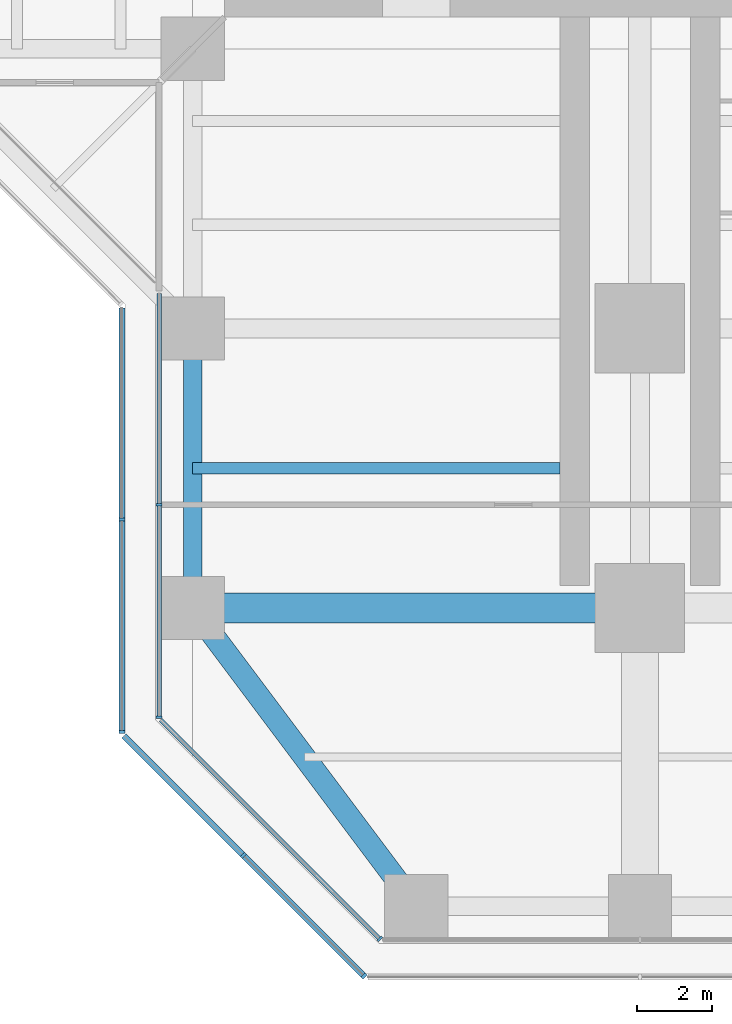
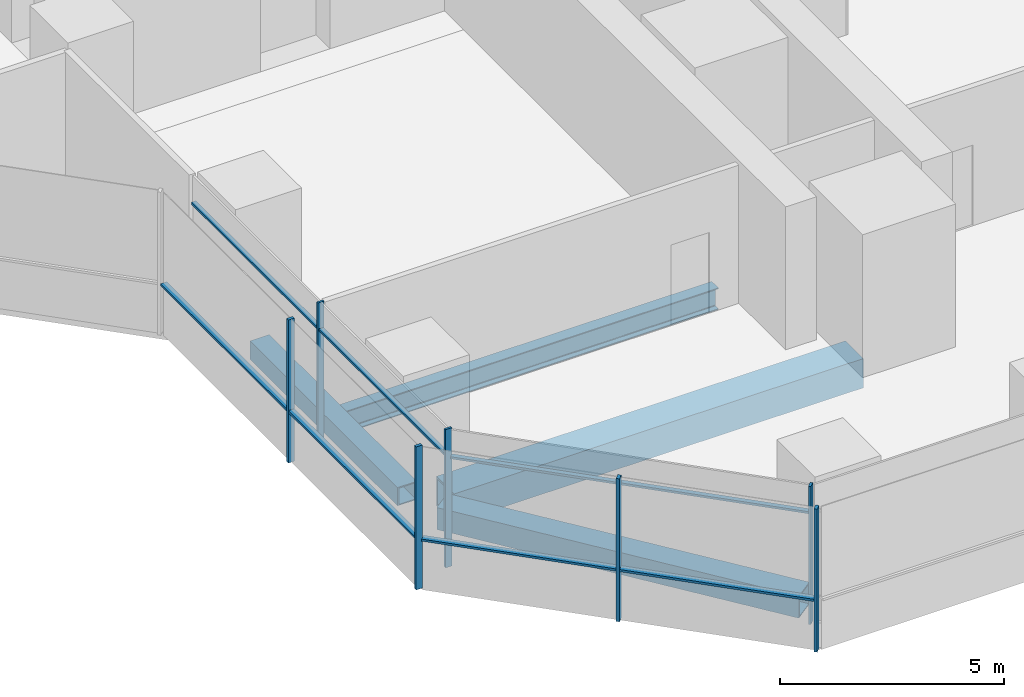
# One storey, part 2 of 22: 14 members, 4 beams, 4 elements without a shape of their own.
"""IFC4 building model written with IfcOpenShell, lengths in metres."""

from ifc_helpers import new_model, si_unit, direction, frame, origin, origin_2d, place, context, subcontext, project, spatial, rectangle, hollow_rectangle, i_section, extrude, material, material_profile, profile_set, type_object, element, aggregate, save


model = new_model("IFC4")

# Units and contexts
model_context = context("Model", 3, precision=1e-05, world=origin(), true_north=direction((0.0, 1.0)))
body_context = subcontext(model_context, "Body", "Model", "MODEL_VIEW")
ifc_project = project(units=[si_unit("LENGTHUNIT", "METRE"), si_unit("AREAUNIT", "SQUARE_METRE"), si_unit("VOLUMEUNIT", "CUBIC_METRE"), si_unit("PLANEANGLEUNIT", "RADIAN"), si_unit("MASSUNIT", "GRAM", prefix="KILO")], contexts=[model_context])

# Site, building, storey
site_placement = place(None, origin())
site = spatial("IfcSite", under=ifc_project, at=site_placement, CompositionType="ELEMENT")
building_placement = place(site_placement, origin())
building = spatial("IfcBuilding", under=site, at=building_placement, Name="Mizan Broadcast Tower", CompositionType="ELEMENT")
storey_placement = place(building_placement, frame((0.0, 0.0, 102.0)))
storey = spatial("IfcBuildingStorey", under=building, at=storey_placement, Name="L22", CompositionType="ELEMENT", Elevation=102.0)

# Beams
ifc_material_1 = material(Name="Steel S355", Category="steel")
ifc_material_profile_1 = material_profile(ifc_material_1, hollow_rectangle(XDim=0.5, YDim=0.5, WallThickness=0.030029296875, at=origin_2d()), Name="BOX 500x500x30")
ifc_profile_set_1 = profile_set([ifc_material_profile_1], Name="Steel S355")
beam_type_1 = type_object("IfcBeamType", Name="EDGE BEAM BOX 500x500x30", PredefinedType="SPANDREL", material=ifc_profile_set_1)
beam_1_placement = place(storey_placement, frame((-12.0, -19.949951171875, -0.3798828125), z_axis=(0.0, -1.0, 0.0), x_axis=(1.0, 0.0, 0.0)))
element("IfcBeam", 1, at=beam_1_placement, inside=storey, type_object=beam_type_1, Name="Edge beam BOX 500x500x30 L22 south arm", PredefinedType="SPANDREL", context=body_context, shape_type="SweptSolid", body=[
    extrude(hollow_rectangle(XDim=0.5, YDim=0.5, WallThickness=0.030029296875, at=origin_2d()), origin(), (0.0, 0.0, 1.0), 6.60009765625),
])
ifc_material_2 = material(Name="Steel S355", Category="steel")
ifc_material_profile_2 = material_profile(ifc_material_2, hollow_rectangle(XDim=0.60009765625, YDim=0.60009765625, WallThickness=0.030029296875, at=origin_2d()), Name="BOX 600x600x30")
ifc_profile_set_2 = profile_set([ifc_material_profile_2], Name="Steel S355")
beam_type_2 = type_object("IfcBeamType", Name="EDGE BEAM BOX 600x600x30", PredefinedType="SPANDREL", material=ifc_profile_set_2)
beam_2_placement = place(storey_placement, frame((-11.639892578125, -27.47998046875, -0.429931640625), z_axis=(0.599982243973, -0.800013316712, 0.0), x_axis=(0.800013316712, 0.599982243973, 0.0)))
element("IfcBeam", 2, at=beam_2_placement, inside=storey, type_object=beam_type_2, Name="Edge beam BOX 600x600x30 L22 south arm", PredefinedType="SPANDREL", context=body_context, shape_type="SweptSolid", body=[
    extrude(hollow_rectangle(XDim=0.60009765625, YDim=0.60009765625, WallThickness=0.030029296875, at=origin_2d()), origin(), (0.0, 0.0, 1.0), 8.7998046875),
])
ifc_material_3 = material(Name="Steel S460", Category="steel")
ifc_material_profile_3 = material_profile(ifc_material_3, hollow_rectangle(XDim=0.800048828125, YDim=0.800048828125, WallThickness=0.050048828125, at=origin_2d()), Name="BOX 800x800x50")
ifc_profile_set_3 = profile_set([ifc_material_profile_3], Name="Steel S460")
beam_type_3 = type_object("IfcBeamType", Name="GIRDER BOX 800x800x50", PredefinedType="BEAM", material=ifc_profile_set_3)
beam_3_placement = place(storey_placement, frame((-11.280029296875, -27.0, -0.530029296875), z_axis=(1.0, 0.0, 0.0), x_axis=(0.0, 1.0, 0.0)))
element("IfcBeam", 3, at=beam_3_placement, inside=storey, type_object=beam_type_3, Name="Girder BOX 800x800x50 L22 south arm", PredefinedType="BEAM", context=body_context, shape_type="SweptSolid", body=[
    extrude(hollow_rectangle(XDim=0.800048828125, YDim=0.800048828125, WallThickness=0.050048828125, at=origin_2d()), origin(), (0.0, 0.0, 1.0), 10.56005859375),
])

# Curtain wall, members
ifc_material_4 = material(Name="Aluminium framed glazing", Category="aluminium")
curtain_wall_type_1 = type_object("IfcCurtainWallType", Name="INNER SKIN LOW ZONE", PredefinedType="USERDEFINED", material=ifc_material_4)
curtain_wall_1_placement = place(storey_placement, origin())
curtain_wall_1 = element("IfcCurtainWall", 4, at=curtain_wall_1_placement, inside=storey, type_object=curtain_wall_type_1, Name="Inner skin low zone L22 S side", ObjectType="INNER SKIN LOW ZONE", PredefinedType="USERDEFINED")
ifc_material_5 = material(Name="Aluminium, pale anodised", Category="aluminium")
ifc_material_profile_4 = material_profile(ifc_material_5, rectangle(XDim=0.159912109375, YDim=0.06005859375, at=origin_2d()), Name="MULLION 160x60")
ifc_profile_set_4 = profile_set([ifc_material_profile_4], Name="Aluminium, pale anodised")
member_type_1 = type_object("IfcMemberType", Name="INNER SKIN MULLION 60x160", PredefinedType="MULLION", material=ifc_profile_set_4)
member_1_placement = place(storey_placement, frame((-12.89990234375, -24.229248046875, 0.0), z_axis=(0.0, 0.0, 1.0), x_axis=(1.0, 0.0, 0.0)))
member_1 = element("IfcMember", 5, at=member_1_placement, type_object=member_type_1, Name="Inner skin low zone L22 S side mullion 2", PredefinedType="MULLION", context=body_context, shape_type="SweptSolid", body=[
    extrude(rectangle(XDim=0.159912109375, YDim=0.06005859375, at=origin_2d()), origin(), (0.0, 0.0, 1.0), 3.77001953125),
])
member_2_placement = place(storey_placement, frame((-12.89990234375, -29.928466796875, 0.0), z_axis=(0.0, 0.0, 1.0), x_axis=(1.0, 0.0, 0.0)))
member_2 = element("IfcMember", 6, at=member_2_placement, type_object=member_type_1, Name="Inner skin low zone L22 S side mullion 3", PredefinedType="MULLION", context=body_context, shape_type="SweptSolid", body=[
    extrude(rectangle(XDim=0.159912109375, YDim=0.06005859375, at=origin_2d()), origin(), (0.0, 0.0, 1.0), 3.77001953125),
])

# Curtain wall, member
curtain_wall_2_placement = place(storey_placement, origin())
curtain_wall_2 = element("IfcCurtainWall", 7, at=curtain_wall_2_placement, inside=storey, type_object=curtain_wall_type_1, Name="Inner skin low zone L22 S chamfer", ObjectType="INNER SKIN LOW ZONE", PredefinedType="USERDEFINED")
member_3_placement = place(storey_placement, frame((-6.979736328125, -35.87890625, 0.0), z_axis=(0.0, 0.0, 1.0), x_axis=(0.707106781187, 0.707106781187, 0.0)))
member_3 = element("IfcMember", 8, at=member_3_placement, type_object=member_type_1, Name="Inner skin low zone L22 S chamfer mullion 2", PredefinedType="MULLION", context=body_context, shape_type="SweptSolid", body=[
    extrude(rectangle(XDim=0.159912109375, YDim=0.06005859375, at=origin_2d()), origin(), (0.0, 0.0, 1.0), 3.77001953125),
])

# Member
ifc_material_6 = material(Name="Aluminium, pale anodised", Category="aluminium")
ifc_material_profile_5 = material_profile(ifc_material_6, rectangle(XDim=0.1201171875, YDim=0.06005859375, at=origin_2d()), Name="TRANSOM 120x60")
ifc_profile_set_5 = profile_set([ifc_material_profile_5], Name="Aluminium, pale anodised")
member_type_2 = type_object("IfcMemberType", Name="INNER SKIN TRANSOM 60x120", PredefinedType="USERDEFINED", material=ifc_profile_set_5)
member_4_placement = place(storey_placement, frame((-12.89990234375, -18.56005859375, 3.030029296875), z_axis=(0.0, -1.0, 0.0), x_axis=(1.0, 0.0, 0.0)))
member_4 = element("IfcMember", 9, at=member_4_placement, type_object=member_type_2, Name="Inner skin low zone L22 S side transom 1.1", ObjectType="TRANSOM", PredefinedType="USERDEFINED", context=body_context, shape_type="SweptSolid", body=[
    extrude(rectangle(XDim=0.1201171875, YDim=0.06005859375, at=origin_2d()), origin(), (0.0, 0.0, 1.0), 5.63916015625),
])

member_5_placement = place(storey_placement, frame((-12.89990234375, -24.25927734375, 3.030029296875), z_axis=(0.0, -1.0, 0.0), x_axis=(1.0, 0.0, 0.0)))
member_5 = element("IfcMember", 10, at=member_5_placement, type_object=member_type_2, Name="Inner skin low zone L22 S side transom 2.1", ObjectType="TRANSOM", PredefinedType="USERDEFINED", context=body_context, shape_type="SweptSolid", body=[
    extrude(rectangle(XDim=0.1201171875, YDim=0.06005859375, at=origin_2d()), origin(), (0.0, 0.0, 1.0), 5.639404296875),
])

aggregate(curtain_wall_1, [member_1, member_2, member_4, member_5])

member_6_placement = place(storey_placement, frame((-12.857666015625, -30.0009765625, 3.030029296875), z_axis=(0.707106781187, -0.707106781187, 0.0), x_axis=(0.707106781187, 0.707106781187, 0.0)))
member_6 = element("IfcMember", 11, at=member_6_placement, type_object=member_type_2, Name="Inner skin low zone L22 S chamfer transom 1.1", ObjectType="TRANSOM", PredefinedType="USERDEFINED", context=body_context, shape_type="SweptSolid", body=[
    extrude(rectangle(XDim=0.1201171875, YDim=0.06005859375, at=origin_2d()), origin(), (0.0, 0.0, 1.0), 8.28271484375),
])

aggregate(curtain_wall_2, [member_3, member_6])

# Curtain wall, members
ifc_material_7 = material(Name="Aluminium framed glazing", Category="aluminium")
curtain_wall_type_2 = type_object("IfcCurtainWallType", Name="OUTER SKIN", PredefinedType="USERDEFINED", material=ifc_material_7)
curtain_wall_3_placement = place(storey_placement, origin())
curtain_wall_3 = element("IfcCurtainWall", 12, at=curtain_wall_3_placement, inside=storey, type_object=curtain_wall_type_2, Name="Outer skin L22 S side", ObjectType="OUTER SKIN", PredefinedType="USERDEFINED")
ifc_material_8 = material(Name="Aluminium, pale anodised", Category="aluminium")
ifc_material_profile_6 = material_profile(ifc_material_8, rectangle(XDim=0.159912109375, YDim=0.080078125, at=origin_2d()), Name="MULLION 160x80")
ifc_profile_set_6 = profile_set([ifc_material_profile_6], Name="Aluminium, pale anodised")
member_type_3 = type_object("IfcMemberType", Name="OUTER SKIN MULLION 80x160", PredefinedType="MULLION", material=ifc_profile_set_6)
member_7_placement = place(storey_placement, frame((-13.89990234375, -24.622802734375, 0.0), z_axis=(0.0, 0.0, 1.0), x_axis=(1.0, 0.0, 0.0)))
member_7 = element("IfcMember", 13, at=member_7_placement, type_object=member_type_3, Name="Outer skin L22 S side mullion 2", PredefinedType="MULLION", context=body_context, shape_type="SweptSolid", body=[
    extrude(rectangle(XDim=0.159912109375, YDim=0.080078125, at=origin_2d()), origin(), (0.0, 0.0, 1.0), 3.89990234375),
])
member_8_placement = place(storey_placement, frame((-13.89990234375, -30.332763671875, 0.0), z_axis=(0.0, 0.0, 1.0), x_axis=(1.0, 0.0, 0.0)))
member_8 = element("IfcMember", 14, at=member_8_placement, type_object=member_type_3, Name="Outer skin L22 S side mullion 3", PredefinedType="MULLION", context=body_context, shape_type="SweptSolid", body=[
    extrude(rectangle(XDim=0.159912109375, YDim=0.080078125, at=origin_2d()), origin(), (0.0, 0.0, 1.0), 3.89990234375),
])

curtain_wall_4_placement = place(storey_placement, origin())
curtain_wall_4 = element("IfcCurtainWall", 15, at=curtain_wall_4_placement, inside=storey, type_object=curtain_wall_type_2, Name="Outer skin L22 S chamfer", ObjectType="OUTER SKIN", PredefinedType="USERDEFINED")
member_9_placement = place(storey_placement, frame((-10.636474609375, -33.636474609375, 0.0), z_axis=(0.0, 0.0, 1.0), x_axis=(0.707106781187, 0.707106781187, 0.0)))
member_9 = element("IfcMember", 16, at=member_9_placement, type_object=member_type_3, Name="Outer skin L22 S chamfer mullion 2", PredefinedType="MULLION", context=body_context, shape_type="SweptSolid", body=[
    extrude(rectangle(XDim=0.159912109375, YDim=0.080078125, at=origin_2d()), origin(), (0.0, 0.0, 1.0), 3.89990234375),
])
member_10_placement = place(storey_placement, frame((-7.401123046875, -36.871826171875, 0.0), z_axis=(0.0, 0.0, 1.0), x_axis=(0.707106781187, 0.707106781187, 0.0)))
member_10 = element("IfcMember", 17, at=member_10_placement, type_object=member_type_3, Name="Outer skin L22 S chamfer mullion 3", PredefinedType="MULLION", context=body_context, shape_type="SweptSolid", body=[
    extrude(rectangle(XDim=0.159912109375, YDim=0.080078125, at=origin_2d()), origin(), (0.0, 0.0, 1.0), 3.89990234375),
])

# Member
ifc_material_9 = material(Name="Aluminium, pale anodised", Category="aluminium")
ifc_material_profile_7 = material_profile(ifc_material_9, rectangle(XDim=0.159912109375, YDim=0.06005859375, at=origin_2d()), Name="TRANSOM 160x60")
ifc_profile_set_7 = profile_set([ifc_material_profile_7], Name="Aluminium, pale anodised")
member_type_4 = type_object("IfcMemberType", Name="OUTER SKIN TRANSOM 60x160", PredefinedType="USERDEFINED", material=ifc_profile_set_7)
member_11_placement = place(storey_placement, frame((-13.89990234375, -18.952880859375, 1.39990234375), z_axis=(0.0, -1.0, 0.0), x_axis=(1.0, 0.0, 0.0)))
member_11 = element("IfcMember", 18, at=member_11_placement, type_object=member_type_4, Name="Outer skin L22 S side transom 1.1", ObjectType="TRANSOM", PredefinedType="USERDEFINED", context=body_context, shape_type="SweptSolid", body=[
    extrude(rectangle(XDim=0.159912109375, YDim=0.06005859375, at=origin_2d()), origin(), (0.0, 0.0, 1.0), 5.6298828125),
])

member_12_placement = place(storey_placement, frame((-13.89990234375, -24.662841796875, 1.39990234375), z_axis=(0.0, -1.0, 0.0), x_axis=(1.0, 0.0, 0.0)))
member_12 = element("IfcMember", 19, at=member_12_placement, type_object=member_type_4, Name="Outer skin L22 S side transom 2.1", ObjectType="TRANSOM", PredefinedType="USERDEFINED", context=body_context, shape_type="SweptSolid", body=[
    extrude(rectangle(XDim=0.159912109375, YDim=0.06005859375, at=origin_2d()), origin(), (0.0, 0.0, 1.0), 5.6298828125),
])

aggregate(curtain_wall_3, [member_7, member_8, member_11, member_12])

member_13_placement = place(storey_placement, frame((-13.843505859375, -30.429443359375, 1.39990234375), z_axis=(0.707106781187, -0.707106781187, 0.0), x_axis=(0.707106781187, 0.707106781187, 0.0)))
member_13 = element("IfcMember", 20, at=member_13_placement, type_object=member_type_4, Name="Outer skin L22 S chamfer transom 1.1", ObjectType="TRANSOM", PredefinedType="USERDEFINED", context=body_context, shape_type="SweptSolid", body=[
    extrude(rectangle(XDim=0.159912109375, YDim=0.06005859375, at=origin_2d()), origin(), (0.0, 0.0, 1.0), 4.495361328125),
])

member_14_placement = place(storey_placement, frame((-10.608154296875, -33.664794921875, 1.39990234375), z_axis=(0.707106781187, -0.707106781187, 0.0), x_axis=(0.707106781187, 0.707106781187, 0.0)))
member_14 = element("IfcMember", 21, at=member_14_placement, type_object=member_type_4, Name="Outer skin L22 S chamfer transom 2.1", ObjectType="TRANSOM", PredefinedType="USERDEFINED", context=body_context, shape_type="SweptSolid", body=[
    extrude(rectangle(XDim=0.159912109375, YDim=0.06005859375, at=origin_2d()), origin(), (0.0, 0.0, 1.0), 4.495361328125),
])

aggregate(curtain_wall_4, [member_9, member_10, member_13, member_14])

# Beam
ifc_material_10 = material(Name="Steel S355", Category="steel")
ifc_material_profile_8 = material_profile(ifc_material_10, i_section(OverallWidth=0.300048828125, OverallDepth=0.590087890625, WebThickness=0.012939453125, FlangeThickness=0.02490234375, FilletRadius=0.027099609375, at=origin_2d()), Name="HEA 600")
ifc_profile_set_8 = profile_set([ifc_material_profile_8], Name="Steel S355")
beam_type_4 = type_object("IfcBeamType", Name="SECONDARY BEAM HEA 600", PredefinedType="JOIST", material=ifc_profile_set_8)
beam_4_placement = place(storey_placement, frame((-12.0, -23.25, -0.425048828125), z_axis=(1.0, 0.0, 0.0), x_axis=(0.0, 1.0, 0.0)))
element("IfcBeam", 22, at=beam_4_placement, inside=storey, type_object=beam_type_4, Name="Secondary beam HEA 600 L22 south arm", PredefinedType="JOIST", context=body_context, shape_type="SweptSolid", body=[
    extrude(i_section(OverallWidth=0.300048828125, OverallDepth=0.590087890625, WebThickness=0.012939453125, FlangeThickness=0.02490234375, FilletRadius=0.027099609375, at=origin_2d()), origin(), (0.0, 0.0, 1.0), 9.85009765625),
])

save(model, "model.ifc")
